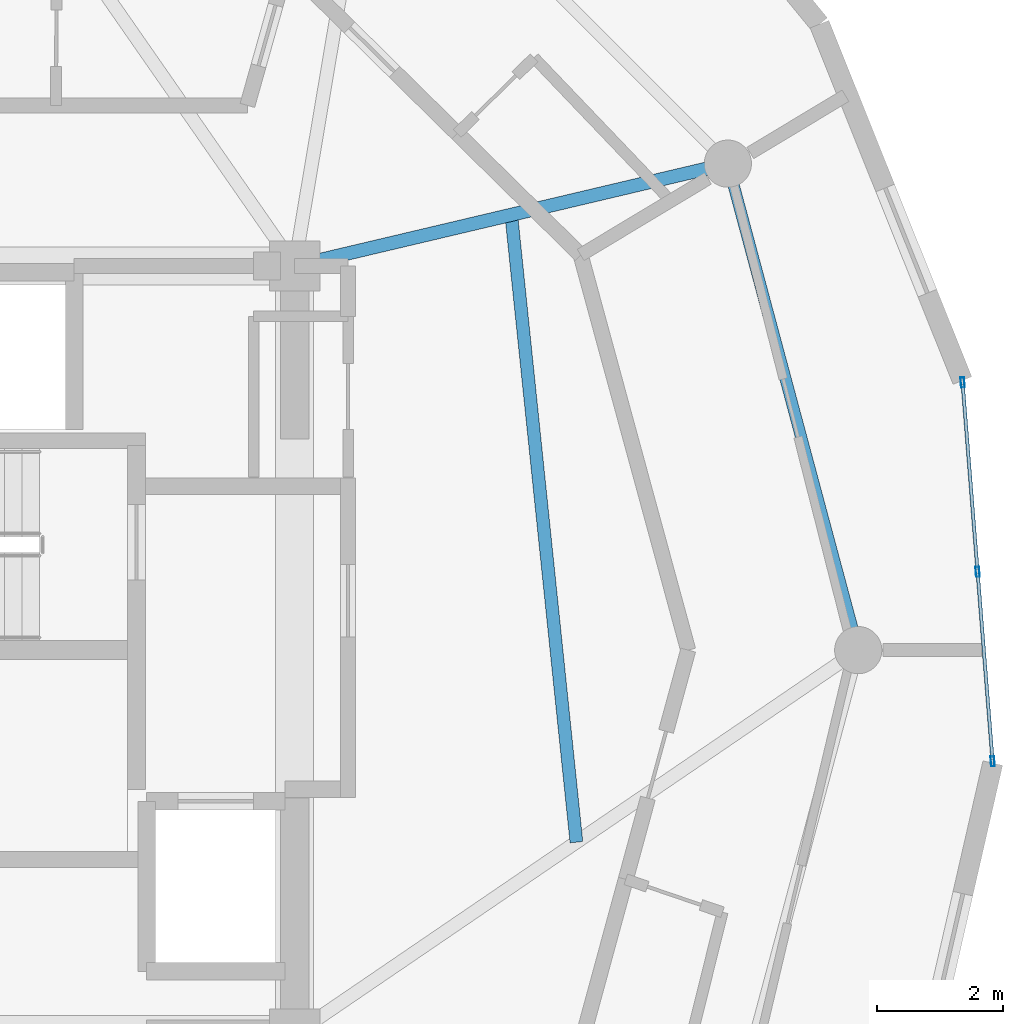
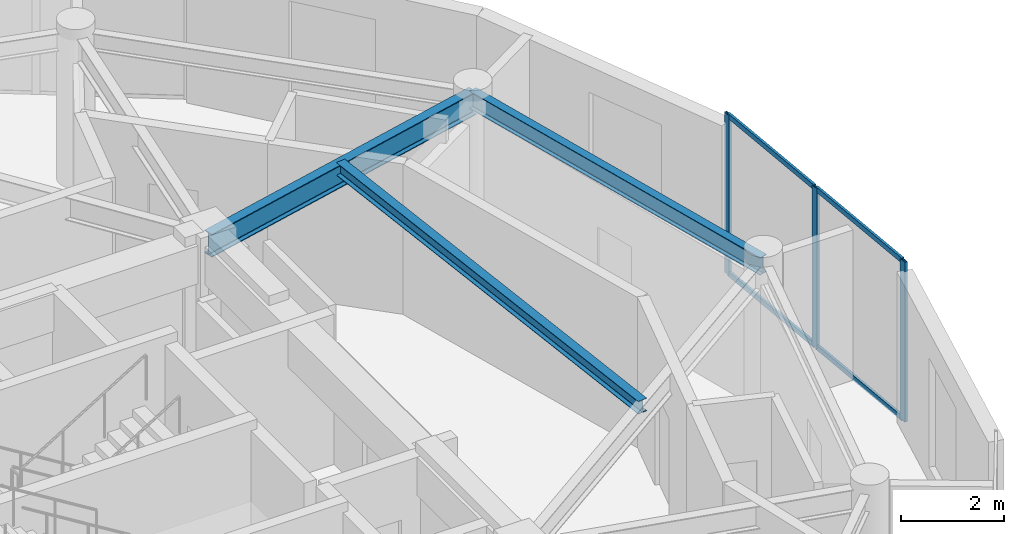
# One storey, part 7 of 17: 7 members, 3 beams, 1 element without a shape of its own.
"""IFC4 building model written with IfcOpenShell, lengths in metres."""

from ifc_helpers import new_model, si_unit, direction, frame, origin, origin_2d, place, context, subcontext, project, spatial, hollow_rectangle, i_section, extrude, source, transform, mapped, material, layer, layer_set, material_profile, profile_set, type_object, element, aggregate, save


model = new_model("IFC4")

# Units and contexts
model_context = context("Model", 3, precision=1e-05, world=origin(), true_north=direction((0.0, 1.0)))
body_context = subcontext(model_context, "Body", "Model", "MODEL_VIEW")
ifc_project = project(units=[si_unit("LENGTHUNIT", "METRE"), si_unit("AREAUNIT", "SQUARE_METRE"), si_unit("VOLUMEUNIT", "CUBIC_METRE"), si_unit("PLANEANGLEUNIT", "RADIAN"), si_unit("MASSUNIT", "GRAM", prefix="KILO")], contexts=[model_context])

# Site, building, storey
site_placement = place(None, origin())
site = spatial("IfcSite", under=ifc_project, at=site_placement, CompositionType="ELEMENT")
building_placement = place(site_placement, origin())
building = spatial("IfcBuilding", under=site, at=building_placement, Name="Solvirekh Grand Hotel", CompositionType="ELEMENT")
storey_placement = place(building_placement, frame((0.0, 0.0, 246.800048828125)))
storey = spatial("IfcBuildingStorey", under=building, at=storey_placement, Name="L64", CompositionType="ELEMENT", Elevation=246.800048828125)

# Beams
ifc_material_1 = material(Name="Steel S355", Category="steel")
ifc_material_profile_1 = material_profile(ifc_material_1, i_section(OverallWidth=0.2119140625, OverallDepth=0.5439453125, WebThickness=0.011962890625, FlangeThickness=0.01904296875, FilletRadius=0.013916015625, at=origin_2d()), Name="W530X123")
ifc_profile_set_1 = profile_set([ifc_material_profile_1], Name="Steel S355")
beam_type_1 = type_object("IfcBeamType", Name="Beam_Radial_W530H", PredefinedType="BEAM", material=ifc_profile_set_1)
beam_1_placement = place(storey_placement, frame((6.5, 6.10009765625, 3.2978515625), z_axis=(0.973221147544, 0.229870828888, 0.0), x_axis=(-0.229870828888, 0.973221147544, 0.0)))
element("IfcBeam", 1, at=beam_1_placement, inside=storey, type_object=beam_type_1, Name="L64 radial floor beam R02", PredefinedType="BEAM", context=body_context, shape_type="SweptSolid", body=[
    extrude(i_section(OverallWidth=0.2119140625, OverallDepth=0.5439453125, WebThickness=0.011962890625, FlangeThickness=0.01904296875, FilletRadius=0.013916015625, at=origin_2d()), origin(), (0.0, 0.0, 1.0), 7.069091796875),
])
ifc_material_profile_2 = material_profile(ifc_material_1, i_section(OverallWidth=0.202880859375, OverallDepth=0.302978515625, WebThickness=0.008056640625, FlangeThickness=0.012939453125, FilletRadius=0.010009765625, at=origin_2d()), Name="W310X60")
ifc_profile_set_2 = profile_set([ifc_material_profile_2], Name="Steel S355")
beam_type_2 = type_object("IfcBeamType", Name="Joist_Floor_W310", PredefinedType="JOIST", material=ifc_profile_set_2)
beam_2_placement = place(storey_placement, frame((10.97509765625, -3.050048828125, 3.4189453125), z_axis=(-0.103352382469, 0.994644803454, 0.0), x_axis=(-0.994644803454, -0.103352382469, 0.0)))
element("IfcBeam", 2, at=beam_2_placement, inside=storey, type_object=beam_type_2, Name="L64 secondary composite floor joist 1", PredefinedType="JOIST", context=body_context, shape_type="SweptSolid", body=[
    extrude(i_section(OverallWidth=0.202880859375, OverallDepth=0.302978515625, WebThickness=0.008056640625, FlangeThickness=0.012939453125, FilletRadius=0.010009765625, at=origin_2d()), origin(), (0.0, 0.0, 1.0), 10.015869140625),
])
ifc_material_profile_3 = material_profile(ifc_material_1, i_section(OverallWidth=0.180908203125, OverallDepth=0.4169921875, WebThickness=0.010009765625, FlangeThickness=0.01611328125, FilletRadius=0.011962890625, at=origin_2d()), Name="W410X85")
ifc_profile_set_3 = profile_set([ifc_material_profile_3], Name="Steel S355")
beam_type_3 = type_object("IfcBeamType", Name="Spandrel_Ring_W410", PredefinedType="SPANDREL", material=ifc_profile_set_3)
beam_3_placement = place(storey_placement, frame((15.449951171875, 0.0, 3.362060546875), z_axis=(-0.258834757072, 0.965921616143, 0.0), x_axis=(-0.965921616143, -0.258834757072, 0.0)))
element("IfcBeam", 3, at=beam_3_placement, inside=storey, type_object=beam_type_3, Name="L64 perimeter spandrel beam 1", PredefinedType="SPANDREL", context=body_context, shape_type="SweptSolid", body=[
    extrude(i_section(OverallWidth=0.180908203125, OverallDepth=0.4169921875, WebThickness=0.010009765625, FlangeThickness=0.01611328125, FilletRadius=0.011962890625, at=origin_2d()), origin(), (0.0, 0.0, 1.0), 7.99755859375),
])

# Curtain wall, members
ifc_material_2 = material(Name="Anodized Bronze Aluminium 6063-T6", Category="aluminium")
ifc_layer = layer(ifc_material_2, 0.159912109375)
ifc_layer_set = layer_set([ifc_layer], Name="Anodized Bronze Aluminium 6063-T6")
curtain_wall_type = type_object("IfcCurtainWallType", Name="CW_Sys4_HighZoneFlushBronzeCW", PredefinedType="NOTDEFINED", material=ifc_layer_set)
curtain_wall_placement = place(storey_placement, origin())
curtain_wall = element("IfcCurtainWall", 4, at=curtain_wall_placement, inside=storey, type_object=curtain_wall_type, Name="L64 unitised bronze-glass curtain wall CW-L64-C05", PredefinedType="NOTDEFINED")
ifc_material_profile_4 = material_profile(ifc_material_2, hollow_rectangle(XDim=0.06005859375, YDim=0.159912109375, WallThickness=0.0048828125, at=origin_2d()), Name="ALU RHS 160X60X5")
ifc_profile_set_4 = profile_set([ifc_material_profile_4], Name="Anodized Bronze Aluminium 6063-T6")
member_type_1 = type_object("IfcMemberType", Name="CWMullion_Sys4", PredefinedType="MULLION", material=ifc_profile_set_4)
shared_shape_1 = source(origin(), body_context, "Body", "SweptSolid", [
    extrude(hollow_rectangle(XDim=0.06005859375, YDim=0.159912109375, WallThickness=0.0048828125, at=origin_2d()), origin(), (0.0, 0.0, 1.0), 3.800048828125),
])
member_1_placement = place(storey_placement, frame((17.584716796875, -1.76513671875, 0.0), z_axis=(0.0, 0.0, 1.0), x_axis=(-0.996869293159, -0.079067138283, 0.0)))
member_1 = element("IfcMember", 5, at=member_1_placement, type_object=member_type_1, Name="U04 mullion 1", PredefinedType="MULLION", context=body_context, shape_type="MappedRepresentation", body=[
    mapped(shared_shape_1, transform((0.0, 0.0, 0.0), x_axis=(1.0, 0.0, 0.0), y_axis=(0.0, 1.0, 0.0), z_axis=(0.0, 0.0, 1.0), scale=1.0)),
])
member_2_placement = place(storey_placement, frame((17.345947265625, 1.243408203125, 0.0), z_axis=(0.0, 0.0, 1.0), x_axis=(-0.996869293159, -0.079067138283, 0.0)))
member_2 = element("IfcMember", 6, at=member_2_placement, type_object=member_type_1, Name="U04 mullion 2", PredefinedType="MULLION", context=body_context, shape_type="MappedRepresentation", body=[
    mapped(shared_shape_1, transform((0.0, 0.0, 0.0), x_axis=(1.0, 0.0, 0.0), y_axis=(0.0, 1.0, 0.0), z_axis=(0.0, 0.0, 1.0), scale=1.0)),
])
member_3_placement = place(storey_placement, frame((17.107421875, 4.252197265625, 0.0), z_axis=(0.0, 0.0, 1.0), x_axis=(-0.996869293159, -0.079067138283, 0.0)))
member_3 = element("IfcMember", 7, at=member_3_placement, type_object=member_type_1, Name="U04 mullion 3", PredefinedType="MULLION", context=body_context, shape_type="MappedRepresentation", body=[
    mapped(shared_shape_1, transform((0.0, 0.0, 0.0), x_axis=(1.0, 0.0, 0.0), y_axis=(0.0, 1.0, 0.0), z_axis=(0.0, 0.0, 1.0), scale=1.0)),
])
ifc_material_profile_5 = material_profile(ifc_material_2, hollow_rectangle(XDim=0.054931640625, YDim=0.1201171875, WallThickness=0.00390625, at=origin_2d()), Name="ALU RHS 120X55X4")
ifc_profile_set_5 = profile_set([ifc_material_profile_5], Name="Anodized Bronze Aluminium 6063-T6")
member_type_2 = type_object("IfcMemberType", Name="CWTransom_Sys4", PredefinedType="USERDEFINED", material=ifc_profile_set_5)
shared_shape_2 = source(origin(), body_context, "Body", "SweptSolid", [
    extrude(hollow_rectangle(XDim=0.054931640625, YDim=0.1201171875, WallThickness=0.00390625, at=origin_2d()), origin(), (0.0, 0.0, 1.0), 2.9580078125),
])
member_4_placement = place(storey_placement, frame((17.582275390625, -1.735107421875, 0.02734375), z_axis=(-0.079069432729, 0.996869111172, 0.0), x_axis=(-0.996869111172, -0.079069432729, 0.0)))
member_4 = element("IfcMember", 8, at=member_4_placement, type_object=member_type_2, Name="U04 transom 1.1", ObjectType="TRANSOM", PredefinedType="USERDEFINED", context=body_context, shape_type="MappedRepresentation", body=[
    mapped(shared_shape_2, transform((0.0, 0.0, 0.0), x_axis=(1.0, 0.0, 0.0), y_axis=(0.0, 1.0, 0.0), z_axis=(0.0, 0.0, 1.0), scale=1.0)),
])
member_5_placement = place(storey_placement, frame((17.582275390625, -1.735107421875, 3.7724609375), z_axis=(-0.079069432729, 0.996869111172, 0.0), x_axis=(-0.996869111172, -0.079069432729, 0.0)))
member_5 = element("IfcMember", 9, at=member_5_placement, type_object=member_type_2, Name="U04 transom 1.2", ObjectType="TRANSOM", PredefinedType="USERDEFINED", context=body_context, shape_type="MappedRepresentation", body=[
    mapped(shared_shape_2, transform((0.0, 0.0, 0.0), x_axis=(1.0, 0.0, 0.0), y_axis=(0.0, 1.0, 0.0), z_axis=(0.0, 0.0, 1.0), scale=1.0)),
])
member_6_placement = place(storey_placement, frame((17.34375, 1.2734375, 0.02734375), z_axis=(-0.079069432729, 0.996869111172, 0.0), x_axis=(-0.996869111172, -0.079069432729, 0.0)))
member_6 = element("IfcMember", 10, at=member_6_placement, type_object=member_type_2, Name="U04 transom 2.1", ObjectType="TRANSOM", PredefinedType="USERDEFINED", context=body_context, shape_type="MappedRepresentation", body=[
    mapped(shared_shape_2, transform((0.0, 0.0, 0.0), x_axis=(1.0, 0.0, 0.0), y_axis=(0.0, 1.0, 0.0), z_axis=(0.0, 0.0, 1.0), scale=1.0)),
])
member_7_placement = place(storey_placement, frame((17.34375, 1.2734375, 3.7724609375), z_axis=(-0.079069432729, 0.996869111172, 0.0), x_axis=(-0.996869111172, -0.079069432729, 0.0)))
member_7 = element("IfcMember", 11, at=member_7_placement, type_object=member_type_2, Name="U04 transom 2.2", ObjectType="TRANSOM", PredefinedType="USERDEFINED", context=body_context, shape_type="MappedRepresentation", body=[
    mapped(shared_shape_2, transform((0.0, 0.0, 0.0), x_axis=(1.0, 0.0, 0.0), y_axis=(0.0, 1.0, 0.0), z_axis=(0.0, 0.0, 1.0), scale=1.0)),
])
aggregate(curtain_wall, [member_1, member_2, member_3, member_4, member_5, member_6, member_7])

save(model, "model.ifc")
